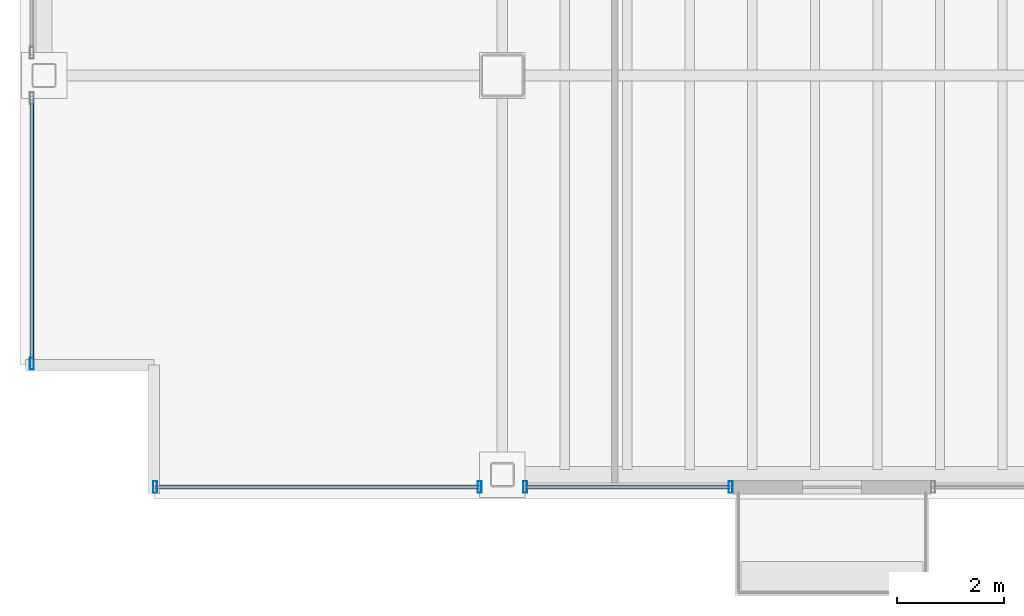
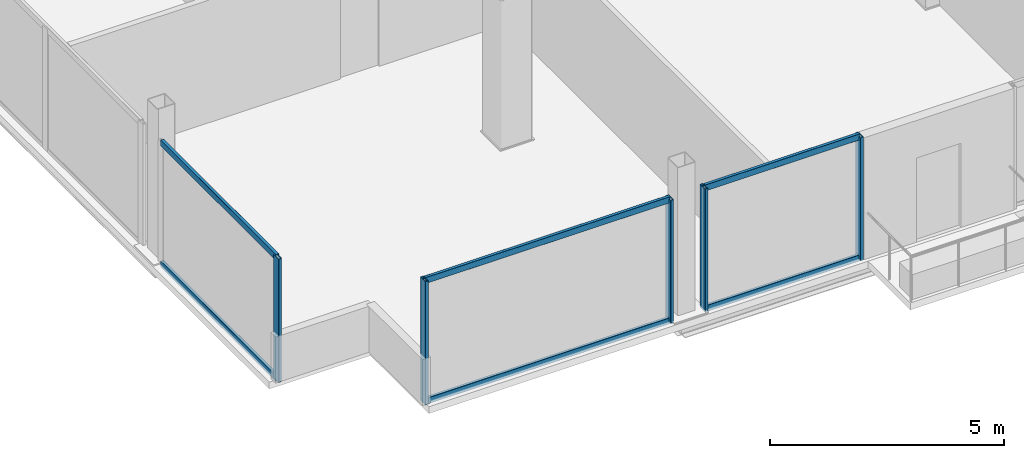
# One storey, part 2 of 16: 11 members, 3 elements without a shape of their own.
"""IFC4 building model written with IfcOpenShell, lengths in metres."""

import ifcopenshell
import ifcopenshell.guid

model = None  # the IFC model being written
_history = None  # IfcOwnerHistory: only IFC2X3 demands one
_inside = {}  # id of a spatial element -> (the spatial element, [elements in it])
_under = {}  # id of a project, library or spatial element -> (it, [spatial elements below it])
_declared = {}  # id of a project -> (the project, [libraries it declares])
_typed = {}  # id of a type object -> (the type object, [elements of that type])
_made_of = {}  # id of a material, layer set ... -> (it, [elements and type objects made of it])


def new_model(schema):
    """Start an empty IFC model of exactly this schema.

    Asked for "IFC4X3", IfcOpenShell would pick the latest addendum, in which some entities
    have other attributes; the version numbers below select the first issue.
    IFC2X3 requires an IfcOwnerHistory on every rooted entity: one is made here for all.
    """
    global model, _history
    if schema == "IFC4X3":
        model = ifcopenshell.file(schema_version=(4, 3, 0, 0))
    else:
        model = ifcopenshell.file(schema=schema)
    _inside.clear()
    _under.clear()
    _declared.clear()
    _typed.clear()
    _made_of.clear()
    _history = None
    if model.schema == "IFC2X3":
        org = make("IfcOrganization", Name="unknown")
        user = make(
            "IfcPersonAndOrganization",
            ThePerson=make("IfcPerson", FamilyName="unknown"),
            TheOrganization=org,
        )
        app = make(
            "IfcApplication",
            ApplicationDeveloper=org,
            Version="unknown",
            ApplicationFullName="unknown",
            ApplicationIdentifier="unknown",
        )
        _history = make(
            "IfcOwnerHistory",
            OwningUser=user,
            OwningApplication=app,
            ChangeAction="ADDED",
            CreationDate=0,
        )
    return model


def make(cls, **values):
    """One entity of the class cls with the attributes given. An attribute that is None is left unset."""
    return model.create_entity(
        cls, **{name: value for name, value in values.items() if value is not None}
    )


def rooted(cls, **values):
    """An entity with a GlobalId (a new one), such as an element, a storey or a relation."""
    return make(cls, GlobalId=ifcopenshell.guid.new(), OwnerHistory=_history, **values)


def si_unit(unit_type, name, prefix=None):
    """IfcSIUnit, for example si_unit("LENGTHUNIT", "METRE", prefix="MILLI")."""
    return make("IfcSIUnit", UnitType=unit_type, Prefix=prefix, Name=name)


def assignment(units):
    """IfcUnitAssignment: the units of a project."""
    return None if units is None else make("IfcUnitAssignment", Units=units)


def point(xyz):
    """IfcCartesianPoint."""
    return None if xyz is None else make("IfcCartesianPoint", Coordinates=xyz)


def direction(xyz):
    """IfcDirection."""
    return None if xyz is None else make("IfcDirection", DirectionRatios=xyz)


def frame(location, z_axis=None, x_axis=None):
    """IfcAxis2Placement3D, a coordinate frame: its origin and axes. An axis left out is left unset."""
    return make(
        "IfcAxis2Placement3D",
        Location=point(location),
        Axis=direction(z_axis),
        RefDirection=direction(x_axis),
    )


def frame_2d(location, x_axis=None):
    """IfcAxis2Placement2D, a coordinate frame in the plane: its origin and x axis."""
    return make(
        "IfcAxis2Placement2D", Location=point(location), RefDirection=direction(x_axis)
    )


def origin():
    """The frame at (0, 0, 0) with its axes left unset."""
    return frame((0.0, 0.0, 0.0))


def origin_2d():
    """The frame at (0, 0) in the plane with its x axis left unset."""
    return frame_2d((0.0, 0.0))


def place(relative_to, where):
    """IfcLocalPlacement: puts the frame where relative to a parent placement (None: the world)."""
    return make(
        "IfcLocalPlacement", PlacementRelTo=relative_to, RelativePlacement=where
    )


def context(
    kind, dimensions, precision=None, world=None, true_north=None, identifier=None
):
    """IfcGeometricRepresentationContext, for example the 3D "Model" context."""
    return make(
        "IfcGeometricRepresentationContext",
        ContextIdentifier=identifier,
        ContextType=kind,
        CoordinateSpaceDimension=dimensions,
        Precision=precision,
        WorldCoordinateSystem=world,
        TrueNorth=true_north,
    )


def subcontext(parent, identifier, kind, view, scale=None):
    """IfcGeometricRepresentationSubContext, for example "Body" below "Model"."""
    return make(
        "IfcGeometricRepresentationSubContext",
        ContextIdentifier=identifier,
        ContextType=kind,
        ParentContext=parent,
        TargetScale=scale,
        TargetView=view,
    )


def project(units=None, contexts=None):
    """IfcProject with its units and contexts."""
    return rooted(
        "IfcProject",
        Name="project",
        RepresentationContexts=contexts,
        UnitsInContext=assignment(units),
    )


def spatial(cls, under=None, at=None, **own):
    """A site, building, storey or space (cls), placed at a placement, below another one or the project."""
    s = rooted(cls, ObjectPlacement=at, **own)
    if under is not None:
        _under.setdefault(under.id(), (under, []))[1].append(s)
    return s


def profile(cls, at=None, kind="AREA", **sizes):
    """A parametric profile (cls). Its sizes go by their IFC names, for example OverallWidth=200.0."""
    return make(cls, ProfileType=kind, Position=at, **sizes)


def hollow_rectangle(**sizes):
    """IfcRectangleHollowProfileDef."""
    return profile("IfcRectangleHollowProfileDef", **sizes)


def extrude(swept, where, along, depth):
    """IfcExtrudedAreaSolid: the profile swept, set in the frame where, extruded along a direction by depth."""
    return make(
        "IfcExtrudedAreaSolid",
        SweptArea=swept,
        Position=where,
        ExtrudedDirection=direction(along),
        Depth=depth,
    )


def shape(context_of_items, identifier, shape_type, items):
    """IfcShapeRepresentation: the items that make up one representation, for example the "Body"."""
    return make(
        "IfcShapeRepresentation",
        ContextOfItems=context_of_items,
        RepresentationIdentifier=identifier,
        RepresentationType=shape_type,
        Items=items,
    )


def material(Name=None, Category=None):
    """IfcMaterial."""
    return make("IfcMaterial", Name=Name, Category=Category)


def material_profile(
    of_material, cross_section, Name=None, Category=None, Priority=None
):
    """IfcMaterialProfile: a cross section and its material."""
    return make(
        "IfcMaterialProfile",
        Name=Name,
        Material=of_material,
        Profile=cross_section,
        Priority=Priority,
        Category=Category,
    )


def profile_set(profiles, Name=None, composite=None):
    """IfcMaterialProfileSet."""
    return make(
        "IfcMaterialProfileSet",
        Name=Name,
        MaterialProfiles=profiles,
        CompositeProfile=composite,
    )


def made_of(thing, what):
    """Note that an element or type object is made of a material, layer set ...; save() writes the relation."""
    if what is not None:
        _made_of.setdefault(what.id(), (what, []))[1].append(thing)
    return thing


def type_object(cls, material=None, **own):
    """A type object (cls), such as IfcWallType, which elements share."""
    return made_of(rooted(cls, **own), material)


def element(
    cls,
    number,
    at=None,
    inside=None,
    cuts=None,
    type_object=None,
    material=None,
    context=None,
    identifier="Body",
    shape_type=None,
    held_by="IfcProductDefinitionShape",
    body=None,
    shapes=None,
    **own,
):
    """One element of the class cls, such as IfcWall. Its Tag is "e" and its number.

    at: its placement. inside: the storey or other place that contains it. cuts: it is an
    opening in that element (IfcRelVoidsElement). A single representation is given by context,
    identifier, shape_type and body (its items); several are given by shapes. held_by: the class
    of the entity that holds the representations. save() writes the other relations.
    """
    e = rooted(cls, Tag="e%d" % number, ObjectPlacement=at, **own)
    if body is not None:
        shapes = [shape(context, identifier, shape_type, body)]
    if shapes is not None:
        e.Representation = make(held_by, Representations=shapes)
    if inside is not None:
        _inside.setdefault(inside.id(), (inside, []))[1].append(e)
    if cuts is not None:
        rooted(
            "IfcRelVoidsElement", RelatingBuildingElement=cuts, RelatedOpeningElement=e
        )
    if type_object is not None:
        _typed.setdefault(type_object.id(), (type_object, []))[1].append(e)
    return made_of(e, material)


def aggregate(whole, parts):
    """IfcRelAggregates: a whole, such as a stair, and the parts it consists of."""
    return rooted("IfcRelAggregates", RelatingObject=whole, RelatedObjects=parts)


def save(model, path):
    """Write the relations noted so far, then the file.

    IfcRelAggregates (storeys below a building ...), IfcRelContainedInSpatialStructure (elements
    in a storey), IfcRelDefinesByType, IfcRelAssociatesMaterial and IfcRelDeclares: one each for
    every whole, place, type object, material and project.
    """
    for whole, parts in _under.values():
        aggregate(whole, parts)
    for where, things in _inside.values():
        rooted(
            "IfcRelContainedInSpatialStructure",
            RelatedElements=things,
            RelatingStructure=where,
        )
    for kind, things in _typed.values():
        rooted("IfcRelDefinesByType", RelatedObjects=things, RelatingType=kind)
    for what, things in _made_of.values():
        rooted("IfcRelAssociatesMaterial", RelatedObjects=things, RelatingMaterial=what)
    for by, libraries in _declared.values():
        rooted("IfcRelDeclares", RelatingContext=by, RelatedDefinitions=libraries)
    model.write(path)


model = new_model("IFC4")

# Units and contexts
model_context = context("Model", 3, precision=1e-05, world=origin(), true_north=direction((0.0, 1.0)))
body_context = subcontext(model_context, "Body", "Model", "MODEL_VIEW")
ifc_project = project(units=[si_unit("LENGTHUNIT", "METRE"), si_unit("AREAUNIT", "SQUARE_METRE"), si_unit("VOLUMEUNIT", "CUBIC_METRE"), si_unit("PLANEANGLEUNIT", "RADIAN"), si_unit("MASSUNIT", "GRAM", prefix="KILO")], contexts=[model_context])

# Site, building, storey
site_placement = place(None, origin())
site = spatial("IfcSite", under=ifc_project, at=site_placement, CompositionType="ELEMENT")
building_placement = place(site_placement, origin())
building = spatial("IfcBuilding", under=site, at=building_placement, Name="Noeulbin Bourse Tower", CompositionType="ELEMENT")
storey_placement = place(building_placement, frame((0.0, 0.0, 238.39990234375)))
storey = spatial("IfcBuildingStorey", under=building, at=storey_placement, Name="L59", CompositionType="ELEMENT", Elevation=238.39990234375)

# Curtain wall, members
ifc_material_1 = material(Name="High-Selectivity Low-Iron Glazing", Category="glass")
curtain_wall_type = type_object("IfcCurtainWallType", Name="CW-SYS-4", PredefinedType="NOTDEFINED", material=ifc_material_1)
curtain_wall_1_placement = place(storey_placement, origin())
curtain_wall_1 = element("IfcCurtainWall", 1, at=curtain_wall_1_placement, inside=storey, type_object=curtain_wall_type, Name="Unitised Curtain Wall CW-L59-S1-S1", PredefinedType="NOTDEFINED")
ifc_material_2 = material(Name="Anodised Aluminium 6063-T6", Category="aluminium")
ifc_material_profile_1 = material_profile(ifc_material_2, hollow_rectangle(XDim=0.074951171875, YDim=0.219970703125, WallThickness=0.0048828125, InnerFilletRadius=0.00244140625, OuterFilletRadius=0.0048828125, at=origin_2d()), Name="ALU-MULL-75x220x5", Category="LoadBearing")
ifc_profile_set_1 = profile_set([ifc_material_profile_1], Name="Anodised Aluminium 6063-T6")
member_type_1 = type_object("IfcMemberType", Name="CW-SYS-4-MUL", PredefinedType="MULLION", material=ifc_profile_set_1)
member_1_placement = place(storey_placement, frame((7.02001953125, 12.320068359375, -0.02001953125), z_axis=(0.0, 0.0, 1.0), x_axis=(1.0, 0.0, 0.0)))
member_1 = element("IfcMember", 2, at=member_1_placement, type_object=member_type_1, Name="Curtain Wall Mullion CW-L59-S1-S1-M00", PredefinedType="MULLION", context=body_context, shape_type="SweptSolid", body=[
    extrude(hollow_rectangle(XDim=0.074951171875, YDim=0.219970703125, WallThickness=0.0048828125, InnerFilletRadius=0.00244140625, OuterFilletRadius=0.0048828125, at=origin_2d()), origin(), (0.0, 0.0, 1.0), 3.22021484375),
])
member_2_placement = place(storey_placement, frame((13.074951171875, 12.320068359375, -0.02001953125), z_axis=(0.0, 0.0, 1.0), x_axis=(1.0, 0.0, 0.0)))
member_2 = element("IfcMember", 3, at=member_2_placement, type_object=member_type_1, Name="Curtain Wall Mullion CW-L59-S1-S1-M01", PredefinedType="MULLION", context=body_context, shape_type="SweptSolid", body=[
    extrude(hollow_rectangle(XDim=0.074951171875, YDim=0.219970703125, WallThickness=0.0048828125, InnerFilletRadius=0.00244140625, OuterFilletRadius=0.0048828125, at=origin_2d()), origin(), (0.0, 0.0, 1.0), 3.22021484375),
])

curtain_wall_2_placement = place(storey_placement, origin())
curtain_wall_2 = element("IfcCurtainWall", 4, at=curtain_wall_2_placement, inside=storey, type_object=curtain_wall_type, Name="Unitised Curtain Wall CW-L59-S1-S2", PredefinedType="NOTDEFINED")
member_3_placement = place(storey_placement, frame((13.925048828125, 12.320068359375, -0.02001953125), z_axis=(0.0, 0.0, 1.0), x_axis=(1.0, 0.0, 0.0)))
member_3 = element("IfcMember", 5, at=member_3_placement, type_object=member_type_1, Name="Curtain Wall Mullion CW-L59-S1-S2-M00", PredefinedType="MULLION", context=body_context, shape_type="SweptSolid", body=[
    extrude(hollow_rectangle(XDim=0.074951171875, YDim=0.219970703125, WallThickness=0.0048828125, InnerFilletRadius=0.00244140625, OuterFilletRadius=0.0048828125, at=origin_2d()), origin(), (0.0, 0.0, 1.0), 3.22021484375),
])
member_4_placement = place(storey_placement, frame((17.760009765625, 12.320068359375, -0.02001953125), z_axis=(0.0, 0.0, 1.0), x_axis=(1.0, 0.0, 0.0)))
member_4 = element("IfcMember", 6, at=member_4_placement, type_object=member_type_1, Name="Curtain Wall Mullion CW-L59-S1-S2-M01", PredefinedType="MULLION", context=body_context, shape_type="SweptSolid", body=[
    extrude(hollow_rectangle(XDim=0.074951171875, YDim=0.219970703125, WallThickness=0.0048828125, InnerFilletRadius=0.00244140625, OuterFilletRadius=0.0048828125, at=origin_2d()), origin(), (0.0, 0.0, 1.0), 3.22021484375),
])

# Curtain wall, member
curtain_wall_3_placement = place(storey_placement, origin())
curtain_wall_3 = element("IfcCurtainWall", 7, at=curtain_wall_3_placement, inside=storey, type_object=curtain_wall_type, Name="Unitised Curtain Wall CW-L59-W-S1", PredefinedType="NOTDEFINED")
member_5_placement = place(storey_placement, frame((4.719970703125, 14.6201171875, -0.02001953125), z_axis=(0.0, 0.0, 1.0), x_axis=(1.0, 0.0, 0.0)))
member_5 = element("IfcMember", 8, at=member_5_placement, type_object=member_type_1, Name="Curtain Wall Mullion CW-L59-W-S1-M00", PredefinedType="MULLION", context=body_context, shape_type="SweptSolid", body=[
    extrude(hollow_rectangle(XDim=0.074951171875, YDim=0.219970703125, WallThickness=0.0048828125, InnerFilletRadius=0.00244140625, OuterFilletRadius=0.0048828125, at=origin_2d()), origin(), (0.0, 0.0, 1.0), 3.22021484375),
])

# Member
ifc_material_profile_2 = material_profile(ifc_material_2, hollow_rectangle(XDim=0.074951171875, YDim=0.159912109375, WallThickness=0.0048828125, InnerFilletRadius=0.00244140625, OuterFilletRadius=0.0048828125, at=origin_2d()), Name="ALU-TRAN-75x160x5", Category="LoadBearing")
ifc_profile_set_2 = profile_set([ifc_material_profile_2], Name="Anodised Aluminium 6063-T6")
member_type_2 = type_object("IfcMemberType", Name="CW-SYS-4-TRN", PredefinedType="USERDEFINED", material=ifc_profile_set_2)
member_6_placement = place(storey_placement, frame((7.030029296875, 12.320068359375, 0.010009765625), z_axis=(1.0, 0.0, 0.0), x_axis=(0.0, 1.0, 0.0)))
member_6 = element("IfcMember", 9, at=member_6_placement, type_object=member_type_2, Name="Curtain Wall Transom CW-L59-S1-S1-T00", ObjectType="TRANSOM", PredefinedType="USERDEFINED", context=body_context, shape_type="SweptSolid", body=[
    extrude(hollow_rectangle(XDim=0.074951171875, YDim=0.159912109375, WallThickness=0.0048828125, InnerFilletRadius=0.00244140625, OuterFilletRadius=0.0048828125, at=origin_2d()), origin(), (0.0, 0.0, 1.0), 6.034912109375),
])

member_7_placement = place(storey_placement, frame((7.030029296875, 12.320068359375, 3.170166015625), z_axis=(1.0, 0.0, 0.0), x_axis=(0.0, 1.0, 0.0)))
member_7 = element("IfcMember", 10, at=member_7_placement, type_object=member_type_2, Name="Curtain Wall Transom CW-L59-S1-S1-T01", ObjectType="TRANSOM", PredefinedType="USERDEFINED", context=body_context, shape_type="SweptSolid", body=[
    extrude(hollow_rectangle(XDim=0.074951171875, YDim=0.159912109375, WallThickness=0.0048828125, InnerFilletRadius=0.00244140625, OuterFilletRadius=0.0048828125, at=origin_2d()), origin(), (0.0, 0.0, 1.0), 6.034912109375),
])

aggregate(curtain_wall_1, [member_1, member_2, member_6, member_7])

member_8_placement = place(storey_placement, frame((13.93505859375, 12.320068359375, 0.010009765625), z_axis=(1.0, 0.0, 0.0), x_axis=(0.0, 1.0, 0.0)))
member_8 = element("IfcMember", 11, at=member_8_placement, type_object=member_type_2, Name="Curtain Wall Transom CW-L59-S1-S2-T00", ObjectType="TRANSOM", PredefinedType="USERDEFINED", context=body_context, shape_type="SweptSolid", body=[
    extrude(hollow_rectangle(XDim=0.074951171875, YDim=0.159912109375, WallThickness=0.0048828125, InnerFilletRadius=0.00244140625, OuterFilletRadius=0.0048828125, at=origin_2d()), origin(), (0.0, 0.0, 1.0), 3.81494140625),
])

member_9_placement = place(storey_placement, frame((13.93505859375, 12.320068359375, 3.170166015625), z_axis=(1.0, 0.0, 0.0), x_axis=(0.0, 1.0, 0.0)))
member_9 = element("IfcMember", 12, at=member_9_placement, type_object=member_type_2, Name="Curtain Wall Transom CW-L59-S1-S2-T01", ObjectType="TRANSOM", PredefinedType="USERDEFINED", context=body_context, shape_type="SweptSolid", body=[
    extrude(hollow_rectangle(XDim=0.074951171875, YDim=0.159912109375, WallThickness=0.0048828125, InnerFilletRadius=0.00244140625, OuterFilletRadius=0.0048828125, at=origin_2d()), origin(), (0.0, 0.0, 1.0), 3.81494140625),
])

aggregate(curtain_wall_2, [member_3, member_4, member_8, member_9])

member_10_placement = place(storey_placement, frame((4.719970703125, 14.6298828125, 0.010009765625), z_axis=(0.0, 1.0, 0.0), x_axis=(-1.0, 0.0, 0.0)))
member_10 = element("IfcMember", 13, at=member_10_placement, type_object=member_type_2, Name="Curtain Wall Transom CW-L59-W-S1-T00", ObjectType="TRANSOM", PredefinedType="USERDEFINED", context=body_context, shape_type="SweptSolid", body=[
    extrude(hollow_rectangle(XDim=0.074951171875, YDim=0.159912109375, WallThickness=0.0048828125, InnerFilletRadius=0.00244140625, OuterFilletRadius=0.0048828125, at=origin_2d()), origin(), (0.0, 0.0, 1.0), 4.93505859375),
])

member_11_placement = place(storey_placement, frame((4.719970703125, 14.6298828125, 3.170166015625), z_axis=(0.0, 1.0, 0.0), x_axis=(-1.0, 0.0, 0.0)))
member_11 = element("IfcMember", 14, at=member_11_placement, type_object=member_type_2, Name="Curtain Wall Transom CW-L59-W-S1-T01", ObjectType="TRANSOM", PredefinedType="USERDEFINED", context=body_context, shape_type="SweptSolid", body=[
    extrude(hollow_rectangle(XDim=0.074951171875, YDim=0.159912109375, WallThickness=0.0048828125, InnerFilletRadius=0.00244140625, OuterFilletRadius=0.0048828125, at=origin_2d()), origin(), (0.0, 0.0, 1.0), 4.93505859375),
])

aggregate(curtain_wall_3, [member_5, member_10, member_11])

save(model, "model.ifc")
